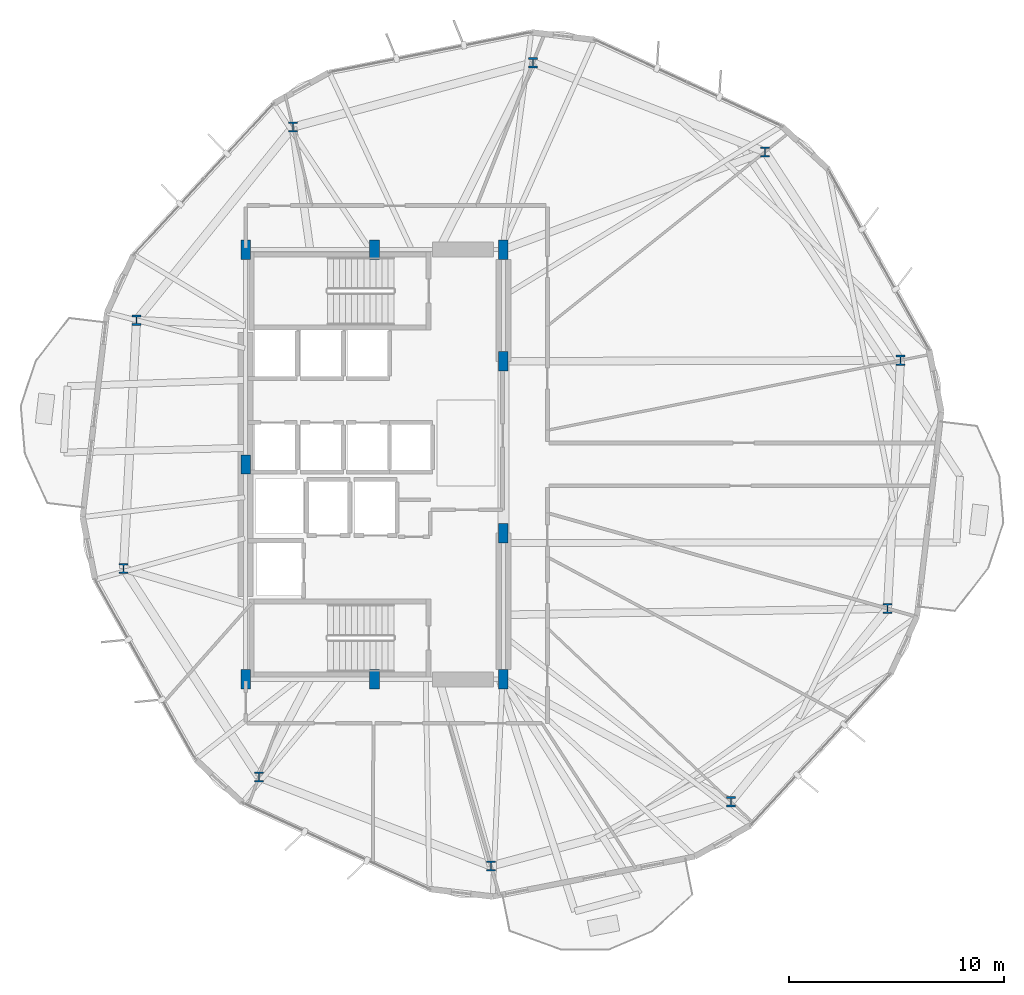
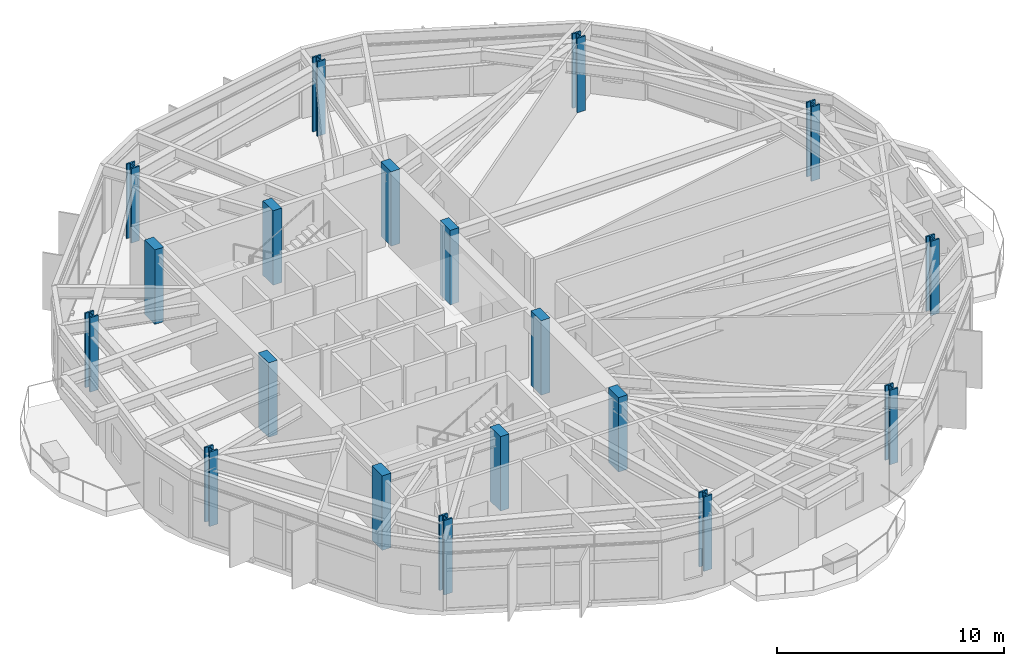
# One storey, part 1 of 22: 19 columns.
"""IFC4 building model written with IfcOpenShell, lengths in metres."""

from ifc_helpers import new_model, si_unit, direction, frame, origin, origin_2d, place, context, subcontext, project, spatial, rectangle, i_section, extrude, material, material_profile, profile_set, type_object, element, save


model = new_model("IFC4")

# Units and contexts
model_context = context("Model", 3, precision=1e-05, world=origin(), true_north=direction((0.0, 1.0)))
body_context = subcontext(model_context, "Body", "Model", "MODEL_VIEW")
ifc_project = project(units=[si_unit("LENGTHUNIT", "METRE"), si_unit("AREAUNIT", "SQUARE_METRE"), si_unit("VOLUMEUNIT", "CUBIC_METRE"), si_unit("PLANEANGLEUNIT", "RADIAN"), si_unit("MASSUNIT", "GRAM", prefix="KILO")], contexts=[model_context])

# Site, building, storey
site_placement = place(None, origin())
site = spatial("IfcSite", under=ifc_project, at=site_placement, CompositionType="ELEMENT")
building_placement = place(site_placement, origin())
building = spatial("IfcBuilding", under=site, at=building_placement, Name="Soratama Intermodal Tower", CompositionType="ELEMENT")
storey_placement = place(building_placement, frame((0.0, 0.0, 70.60009765625)))
storey = spatial("IfcBuildingStorey", under=building, at=storey_placement, Name="L16", CompositionType="ELEMENT", Elevation=70.60009765625)

# Columns
ifc_material_1 = material(Name="Structural steel ASTM A992 Grade 50", Category="steel")
ifc_material_profile_1 = material_profile(ifc_material_1, i_section(OverallWidth=0.424072265625, OverallDepth=0.47412109375, WebThickness=0.047607421875, FlangeThickness=0.0771484375, FilletRadius=0.0380859375, at=origin_2d()), Name="W14X426")
ifc_profile_set_1 = profile_set([ifc_material_profile_1], Name="Structural steel ASTM A992 Grade 50")
column_type_1 = type_object("IfcColumnType", Name="COL-ZA-W14X426", PredefinedType="COLUMN", material=ifc_profile_set_1)
for number, where, z_axis, x_axis, name in (
    (1, (63.08203125, 29.84521484375, 0.0), (0.0, 0.0, 1.0), (1.0, 0.0, 0.0), "L16 Tower Ring Column R01"),
    (2, (56.781005859375, 39.548095703125, 0.0), (0.0, 0.0, 1.0), (1.0, 0.0, 0.0), "L16 Tower Ring Column R02"),
    (3, (45.979736328125, 43.6943359375, 0.0), (0.0, 0.0, 1.0), (1.0, 0.0, 0.0), "L16 Tower Ring Column R03"),
    (4, (34.804443359375, 40.699951171875, 0.0), (0.0, 0.0, 1.0), (1.0, 0.0, 0.0), "L16 Tower Ring Column R04"),
    (5, (27.5234375, 31.70849609375, 0.0), (0.0, 0.0, 1.0), (1.0, 0.0, 0.0), "L16 Tower Ring Column R05"),
    (6, (26.91796875, 20.15478515625, 0.0), (0.0, 0.0, 1.0), (1.0, 0.0, 0.0), "L16 Tower Ring Column R06"),
    (7, (33.218994140625, 10.451904296875, 0.0), (0.0, 0.0, 1.0), (1.0, 0.0, 0.0), "L16 Tower Ring Column R07"),
    (8, (44.020263671875, 6.3056640625, 0.0), (0.0, 0.0, 1.0), (1.0, 0.0, 0.0), "L16 Tower Ring Column R08"),
    (9, (55.195556640625, 9.300048828125, 0.0), (0.0, 0.0, 1.0), (1.0, 0.0, 0.0), "L16 Tower Ring Column R09"),
    (10, (62.4765625, 18.29150390625, 0.0), (0.0, 0.0, 1.0), (1.0, 0.0, 0.0), "L16 Tower Ring Column R10"),
):
    element("IfcColumn", number, at=place(storey_placement, frame(where, z_axis=z_axis, x_axis=x_axis)), inside=storey, type_object=column_type_1, Name=name, PredefinedType="COLUMN", context=body_context, shape_type="SweptSolid", body=[
        extrude(i_section(OverallWidth=0.424072265625, OverallDepth=0.47412109375, WebThickness=0.047607421875, FlangeThickness=0.0771484375, FilletRadius=0.0380859375, at=origin_2d()), origin(), (0.0, 0.0, 1.0), 4.0),
    ])
ifc_material_2 = material(Name="Concrete f'c 56 MPa", Category="concrete")
ifc_material_profile_2 = material_profile(ifc_material_2, rectangle(XDim=0.449951171875, YDim=0.89990234375, at=origin_2d()), Name="RC450X900")
ifc_profile_set_2 = profile_set([ifc_material_profile_2], Name="Concrete f'c 56 MPa")
column_type_2 = type_object("IfcColumnType", Name="PIL-CORE-450X900", PredefinedType="PILASTER", material=ifc_profile_set_2)
for number, where, z_axis, x_axis, name in (
    (11, (32.60009765625, 15.0, 0.0), (0.0, 0.0, 1.0), (1.0, 0.0, 0.0), "L16 Core Pilaster 1"),
    (12, (32.60009765625, 25.0, 0.0), (0.0, 0.0, 1.0), (1.0, 0.0, 0.0), "L16 Core Pilaster 2"),
    (13, (32.60009765625, 35.0, 0.0), (0.0, 0.0, 1.0), (1.0, 0.0, 0.0), "L16 Core Pilaster 3"),
    (14, (38.60009765625, 15.0, 0.0), (0.0, 0.0, 1.0), (1.0, 0.0, 0.0), "L16 Core Pilaster 4"),
    (15, (38.60009765625, 35.0, 0.0), (0.0, 0.0, 1.0), (1.0, 0.0, 0.0), "L16 Core Pilaster 5"),
    (16, (44.60009765625, 15.0, 0.0), (0.0, 0.0, 1.0), (1.0, 0.0, 0.0), "L16 Core Pilaster 6"),
    (17, (44.60009765625, 21.800048828125, 0.0), (0.0, 0.0, 1.0), (1.0, 0.0, 0.0), "L16 Core Pilaster 7"),
    (18, (44.60009765625, 29.800048828125, 0.0), (0.0, 0.0, 1.0), (1.0, 0.0, 0.0), "L16 Core Pilaster 8"),
    (19, (44.60009765625, 35.0, 0.0), (0.0, 0.0, 1.0), (1.0, 0.0, 0.0), "L16 Core Pilaster 9"),
):
    element("IfcColumn", number, at=place(storey_placement, frame(where, z_axis=z_axis, x_axis=x_axis)), inside=storey, type_object=column_type_2, Name=name, PredefinedType="PILASTER", context=body_context, shape_type="SweptSolid", body=[
        extrude(rectangle(XDim=0.449951171875, YDim=0.89990234375, at=origin_2d()), origin(), (0.0, 0.0, 1.0), 4.0),
    ])

save(model, "model.ifc")
